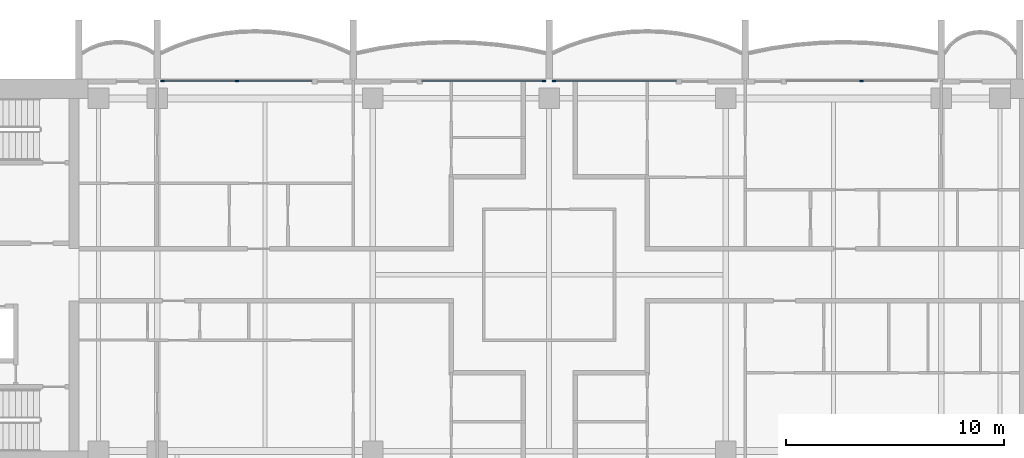
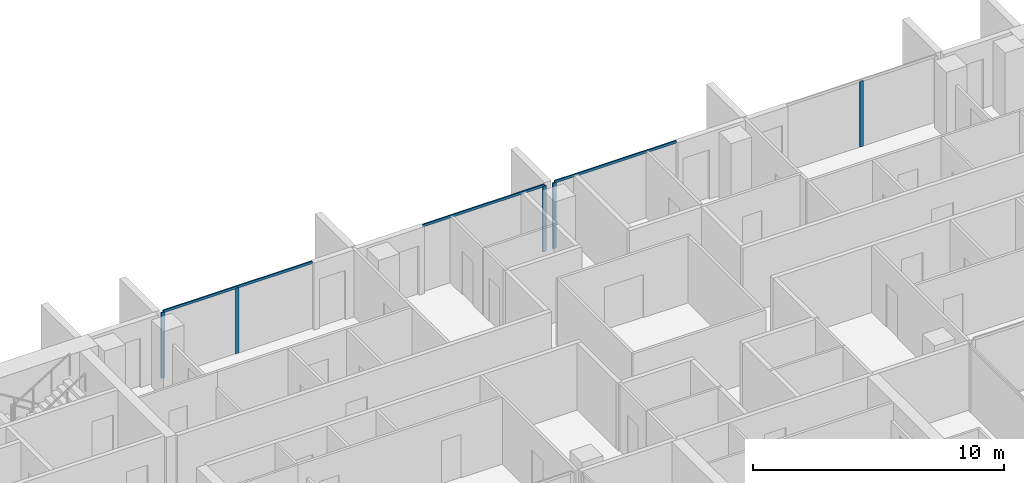
# One storey, part 5 of 17: 8 members, 4 elements without a shape of their own.
"""IFC4 building model written with IfcOpenShell, lengths in metres."""

from ifc_helpers import new_model, si_unit, direction, frame, origin, origin_2d, place, context, subcontext, project, spatial, rectangle, extrude, material, material_profile, profile_set, type_object, element, aggregate, save


model = new_model("IFC4")

# Units and contexts
model_context = context("Model", 3, precision=1e-05, world=origin(), true_north=direction((0.0, 1.0)))
body_context = subcontext(model_context, "Body", "Model", "MODEL_VIEW")
ifc_project = project(units=[si_unit("LENGTHUNIT", "METRE"), si_unit("AREAUNIT", "SQUARE_METRE"), si_unit("VOLUMEUNIT", "CUBIC_METRE"), si_unit("PLANEANGLEUNIT", "RADIAN"), si_unit("MASSUNIT", "GRAM", prefix="KILO")], contexts=[model_context])

# Site, building, storey
site_placement = place(None, origin())
site = spatial("IfcSite", under=ifc_project, at=site_placement, CompositionType="ELEMENT")
building_placement = place(site_placement, origin())
building = spatial("IfcBuilding", under=site, at=building_placement, Name="Perihelion Cross Residences", CompositionType="ELEMENT")
storey_placement = place(building_placement, frame((0.0, 0.0, 184.10009765625)))
storey = spatial("IfcBuildingStorey", under=building, at=storey_placement, Name="L45", CompositionType="ELEMENT", Elevation=184.10009765625)

# Curtain wall, member
ifc_material_1 = material(Name="Bronze anodised aluminium, tinted glazing", Category="aluminium")
curtain_wall_type = type_object("IfcCurtainWallType", Name="CW1", PredefinedType="NOTDEFINED", material=ifc_material_1)
curtain_wall_1_placement = place(storey_placement, origin())
curtain_wall_1 = element("IfcCurtainWall", 1, at=curtain_wall_1_placement, inside=storey, type_object=curtain_wall_type, Name="Curtain wall CW1 L45 east side north bay 2", PredefinedType="NOTDEFINED")
ifc_material_2 = material(Name="Bronze anodised aluminium", Category="aluminium")
ifc_material_profile_1 = material_profile(ifc_material_2, rectangle(XDim=0.06005859375, YDim=0.159912109375, at=origin_2d()), Name="CW1 mullion")
ifc_profile_set_1 = profile_set([ifc_material_profile_1], Name="Bronze anodised aluminium")
member_type_1 = type_object("IfcMemberType", Name="CW1 mullion", PredefinedType="MULLION", material=ifc_profile_set_1)
member_1_placement = place(storey_placement, frame((14.35009765625, 8.89990234375, 0.0), z_axis=(0.0, 0.0, 1.0), x_axis=(0.0, -1.0, 0.0)))
member_1 = element("IfcMember", 2, at=member_1_placement, type_object=member_type_1, Name="CW1 mullion 2", PredefinedType="MULLION", context=body_context, shape_type="SweptSolid", body=[
    extrude(rectangle(XDim=0.06005859375, YDim=0.159912109375, at=origin_2d()), origin(), (0.0, 0.0, 1.0), 3.18994140625),
])
aggregate(curtain_wall_1, [member_1])

curtain_wall_2_placement = place(storey_placement, origin())
curtain_wall_2 = element("IfcCurtainWall", 3, at=curtain_wall_2_placement, inside=storey, type_object=curtain_wall_type, Name="Curtain wall CW1 L45 north side east bay 1", PredefinedType="NOTDEFINED")
member_2_placement = place(storey_placement, frame((0.22998046875, 8.89990234375, 0.0), z_axis=(0.0, 0.0, 1.0), x_axis=(0.0, -1.0, 0.0)))
member_2 = element("IfcMember", 4, at=member_2_placement, type_object=member_type_1, Name="CW1 mullion 2", PredefinedType="MULLION", context=body_context, shape_type="SweptSolid", body=[
    extrude(rectangle(XDim=0.06005859375, YDim=0.159912109375, at=origin_2d()), origin(), (0.0, 0.0, 1.0), 3.18994140625),
])

curtain_wall_3_placement = place(storey_placement, origin())
curtain_wall_3 = element("IfcCurtainWall", 5, at=curtain_wall_3_placement, inside=storey, type_object=curtain_wall_type, Name="Curtain wall CW1 L45 north side east bay 2", PredefinedType="NOTDEFINED")
member_3_placement = place(storey_placement, frame((-0.22998046875, 8.89990234375, 0.0), z_axis=(0.0, 0.0, 1.0), x_axis=(0.0, -1.0, 0.0)))
member_3 = element("IfcMember", 6, at=member_3_placement, type_object=member_type_1, Name="CW1 mullion 1", PredefinedType="MULLION", context=body_context, shape_type="SweptSolid", body=[
    extrude(rectangle(XDim=0.06005859375, YDim=0.159912109375, at=origin_2d()), origin(), (0.0, 0.0, 1.0), 3.18994140625),
])

# Curtain wall, members
curtain_wall_4_placement = place(storey_placement, origin())
curtain_wall_4 = element("IfcCurtainWall", 7, at=curtain_wall_4_placement, inside=storey, type_object=curtain_wall_type, Name="Curtain wall CW1 L45 west side north bay 1", PredefinedType="NOTDEFINED")
member_4_placement = place(storey_placement, frame((-14.35009765625, 8.89990234375, 0.0), z_axis=(0.0, 0.0, 1.0), x_axis=(0.0, -1.0, 0.0)))
member_4 = element("IfcMember", 8, at=member_4_placement, type_object=member_type_1, Name="CW1 mullion 2", PredefinedType="MULLION", context=body_context, shape_type="SweptSolid", body=[
    extrude(rectangle(XDim=0.06005859375, YDim=0.159912109375, at=origin_2d()), origin(), (0.0, 0.0, 1.0), 3.18994140625),
])
member_5_placement = place(storey_placement, frame((-17.77001953125, 8.89990234375, 0.0), z_axis=(0.0, 0.0, 1.0), x_axis=(0.0, -1.0, 0.0)))
member_5 = element("IfcMember", 9, at=member_5_placement, type_object=member_type_1, Name="CW1 mullion 3", PredefinedType="MULLION", context=body_context, shape_type="SweptSolid", body=[
    extrude(rectangle(XDim=0.06005859375, YDim=0.159912109375, at=origin_2d()), origin(), (0.0, 0.0, 1.0), 3.18994140625),
])

# Member
ifc_material_3 = material(Name="Bronze anodised aluminium", Category="aluminium")
ifc_material_profile_2 = material_profile(ifc_material_3, rectangle(XDim=0.06005859375, YDim=0.1201171875, at=origin_2d()), Name="CW1 transom")
ifc_profile_set_2 = profile_set([ifc_material_profile_2], Name="Bronze anodised aluminium")
member_type_2 = type_object("IfcMemberType", Name="CW1 transom", PredefinedType="USERDEFINED", material=ifc_profile_set_2)
member_6_placement = place(storey_placement, frame((5.824951171875, 8.89990234375, 3.219970703125), z_axis=(-1.0, 0.0, 0.0), x_axis=(0.0, -1.0, 0.0)))
member_6 = element("IfcMember", 10, at=member_6_placement, type_object=member_type_2, Name="CW1 head transom", ObjectType="TRANSOM", PredefinedType="USERDEFINED", context=body_context, shape_type="SweptSolid", body=[
    extrude(rectangle(XDim=0.06005859375, YDim=0.1201171875, at=origin_2d()), origin(), (0.0, 0.0, 1.0), 5.594970703125),
])

aggregate(curtain_wall_2, [member_2, member_6])

member_7_placement = place(storey_placement, frame((-0.22998046875, 8.89990234375, 3.219970703125), z_axis=(-1.0, 0.0, 0.0), x_axis=(0.0, -1.0, 0.0)))
member_7 = element("IfcMember", 11, at=member_7_placement, type_object=member_type_2, Name="CW1 head transom", ObjectType="TRANSOM", PredefinedType="USERDEFINED", context=body_context, shape_type="SweptSolid", body=[
    extrude(rectangle(XDim=0.06005859375, YDim=0.1201171875, at=origin_2d()), origin(), (0.0, 0.0, 1.0), 5.594970703125),
])

aggregate(curtain_wall_3, [member_3, member_7])

member_8_placement = place(storey_placement, frame((-10.89990234375, 8.89990234375, 3.219970703125), z_axis=(-1.0, 0.0, 0.0), x_axis=(0.0, -1.0, 0.0)))
member_8 = element("IfcMember", 12, at=member_8_placement, type_object=member_type_2, Name="CW1 head transom", ObjectType="TRANSOM", PredefinedType="USERDEFINED", context=body_context, shape_type="SweptSolid", body=[
    extrude(rectangle(XDim=0.06005859375, YDim=0.1201171875, at=origin_2d()), origin(), (0.0, 0.0, 1.0), 6.8701171875),
])

aggregate(curtain_wall_4, [member_4, member_5, member_8])

save(model, "model.ifc")
